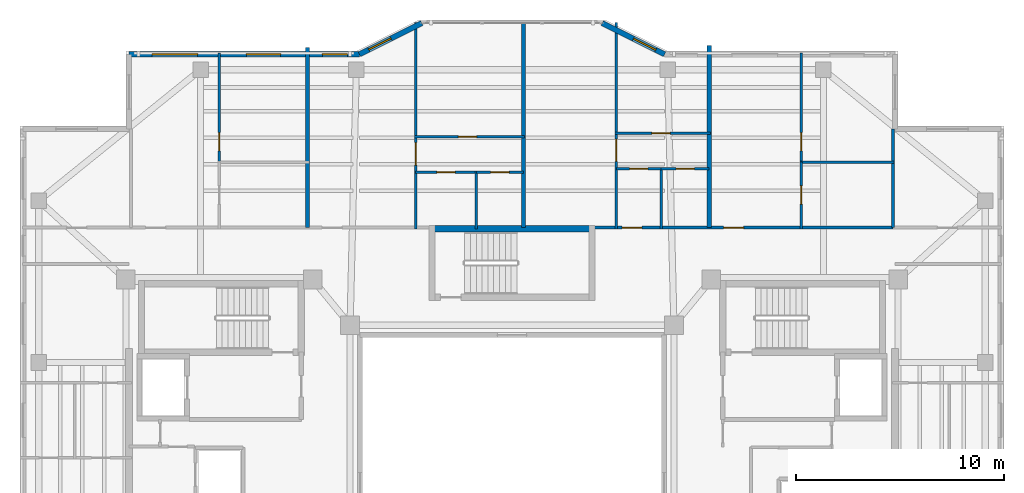
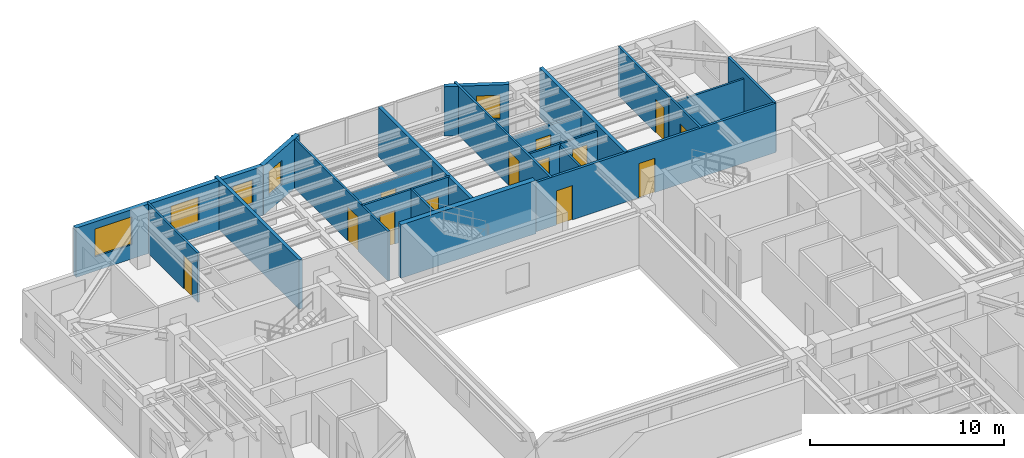
# One storey, part 8 of 12: 23 walls, 13 doors, 5 windows, 18 openings.
"""IFC4 building model written with IfcOpenShell, lengths in metres."""

from ifc_helpers import new_model, si_unit, direction, frame, frame_2d, origin, place, context, subcontext, project, spatial, rectangle, extrude, material, layer, layer_set, type_object, element, fill, save


model = new_model("IFC4")

# Units and contexts
model_context = context("Model", 3, precision=1e-05, world=origin(), true_north=direction((0.0, 1.0)))
body_context = subcontext(model_context, "Body", "Model", "MODEL_VIEW")
ifc_project = project(units=[si_unit("LENGTHUNIT", "METRE"), si_unit("AREAUNIT", "SQUARE_METRE"), si_unit("VOLUMEUNIT", "CUBIC_METRE"), si_unit("PLANEANGLEUNIT", "RADIAN"), si_unit("MASSUNIT", "GRAM", prefix="KILO")], contexts=[model_context])

# Site, building, storey
site_placement = place(None, origin())
site = spatial("IfcSite", under=ifc_project, at=site_placement, CompositionType="ELEMENT")
building_placement = place(site_placement, origin())
building = spatial("IfcBuilding", under=site, at=building_placement, Name="Tarnavaz Court Tower", CompositionType="ELEMENT")
storey_placement = place(building_placement, frame((0.0, 0.0, 210.35009765625)))
storey = spatial("IfcBuildingStorey", under=building, at=storey_placement, Name="L57", CompositionType="ELEMENT", Elevation=210.35009765625)

# Wall
ifc_material_1 = material(Name="Concrete C50/60", Category="concrete")
ifc_layer_1 = layer(ifc_material_1, 0.300048828125)
ifc_layer_set_1 = layer_set([ifc_layer_1], Name="Concrete C50/60")
wall_type_1 = type_object("IfcWallType", Name="WL-CORE-300-C50", PredefinedType="SHEAR", material=ifc_layer_set_1)
wall_1_placement = place(storey_placement, frame((-4.0, 12.43994140625, 0.0), z_axis=(0.0, 0.0, 1.0), x_axis=(1.0, 0.0, 0.0)))
element("IfcWall", 1, at=wall_1_placement, inside=storey, type_object=wall_type_1, Name="L57 North Stair Core Wall 009", PredefinedType="SHEAR", context=body_context, shape_type="SweptSolid", body=[
    extrude(rectangle(XDim=8.0, YDim=0.300048828125, at=frame_2d((4.0, 0.0))), origin(), (0.0, 0.0, 1.0), 3.349853515625),
])

# Wall, openings, windows
ifc_material_2 = material(Name="Precast Concrete C40/50", Category="concrete")
ifc_layer_2 = layer(ifc_material_2, 0.260009765625)
ifc_layer_set_2 = layer_set([ifc_layer_2], Name="Precast Concrete C40/50")
wall_type_2 = type_object("IfcWallType", Name="WL-EXT-260", PredefinedType="SOLIDWALL", material=ifc_layer_set_2)
wall_2_placement = place(storey_placement, frame((-18.449951171875, 20.85009765625, 0.0), z_axis=(0.0, 0.0, 1.0), x_axis=(1.0, 0.0, 0.0)))
wall_2 = element("IfcWall", 2, at=wall_2_placement, inside=storey, type_object=wall_type_2, Name="L57 Exterior Terracotta Facade Wall 05", PredefinedType="SOLIDWALL", context=body_context, shape_type="SweptSolid", body=[
    extrude(rectangle(XDim=11.099853515625, YDim=0.260009765625, at=frame_2d((5.5498046875, 0.0))), origin(), (0.0, 0.0, 1.0), 3.099853515625),
])
opening_1_placement = place(wall_2_placement, frame((1.110107421875, 0.0, 0.89990234375)))
opening_1 = element("IfcOpeningElement", 3, at=opening_1_placement, cuts=wall_2, Name="Opening W07", PredefinedType="OPENING", context=body_context, shape_type="SweptSolid", body=[
    extrude(rectangle(XDim=2.199951171875, YDim=1.75, at=frame_2d((1.10009765625, 0.875))), frame((0.0, 0.139892578125, 0.0), z_axis=(0.0, -1.0, 0.0), x_axis=(1.0, 0.0, 0.0)), (0.0, 0.0, 1.0), 0.280029296875),
])
opening_2_placement = place(wall_2_placement, frame((5.654296875, 0.0, 0.89990234375)))
opening_2 = element("IfcOpeningElement", 4, at=opening_2_placement, cuts=wall_2, Name="Opening W02", PredefinedType="OPENING", context=body_context, shape_type="SweptSolid", body=[
    extrude(rectangle(XDim=1.64990234375, YDim=1.60009765625, at=frame_2d((0.824951171875, 0.800048828125))), frame((0.0, 0.139892578125, 0.0), z_axis=(0.0, -1.0, 0.0), x_axis=(1.0, 0.0, 0.0)), (0.0, 0.0, 1.0), 0.280029296875),
])
opening_3_placement = place(wall_2_placement, frame((9.319580078125, 0.0, 0.949951171875)))
opening_3 = element("IfcOpeningElement", 5, at=opening_3_placement, cuts=wall_2, Name="Opening W05", PredefinedType="OPENING", context=body_context, shape_type="SweptSolid", body=[
    extrude(rectangle(XDim=1.199951171875, YDim=1.5, at=frame_2d((0.60009765625, 0.75))), frame((0.0, 0.139892578125, 0.0), z_axis=(0.0, -1.0, 0.0), x_axis=(1.0, 0.0, 0.0)), (0.0, 0.0, 1.0), 0.280029296875),
])
ifc_material_3 = material(Name="Double-Glazed Solar Low-E Glass", Category="glass")
window_type_1 = type_object("IfcWindowType", Name="WN-APT-1200", PartitioningType="SINGLE_PANEL", PredefinedType="WINDOW", material=ifc_material_3)
window_1_placement = place(opening_3_placement, origin())
window_1 = element("IfcWindow", 6, at=window_1_placement, inside=storey, type_object=window_type_1, Name="L57 Flat 02 Living and Dining Room Window", OverallHeight=1.5, OverallWidth=1.199951171875, PartitioningType="SINGLE_PANEL", PredefinedType="WINDOW", context=body_context, shape_type="SweptSolid", body=[
    extrude(rectangle(XDim=1.199951171875, YDim=1.5, at=frame_2d((0.60009765625, 0.75))), frame((0.0, 0.030029296875, 0.0), z_axis=(0.0, -1.0, 0.0), x_axis=(1.0, 0.0, 0.0)), (0.0, 0.0, 1.0), 0.06005859375),
])
fill(opening_3, window_1)
window_type_2 = type_object("IfcWindowType", Name="WN-APT-1650", PartitioningType="DOUBLE_PANEL_VERTICAL", PredefinedType="WINDOW", material=ifc_material_3)
window_2_placement = place(opening_2_placement, origin())
window_2 = element("IfcWindow", 7, at=window_2_placement, inside=storey, type_object=window_type_2, Name="L57 Flat 01 Kitchen Window", OverallHeight=1.60009765625, OverallWidth=1.64990234375, PartitioningType="SINGLE_PANEL", PredefinedType="WINDOW", context=body_context, shape_type="SweptSolid", body=[
    extrude(rectangle(XDim=1.64990234375, YDim=1.60009765625, at=frame_2d((0.824951171875, 0.800048828125))), frame((0.0, 0.030029296875, 0.0), z_axis=(0.0, -1.0, 0.0), x_axis=(1.0, 0.0, 0.0)), (0.0, 0.0, 1.0), 0.06005859375),
])
fill(opening_2, window_2)
window_type_3 = type_object("IfcWindowType", Name="WN-APT-2200", PartitioningType="TRIPLE_PANEL_VERTICAL", PredefinedType="WINDOW", material=ifc_material_3)
window_3_placement = place(opening_1_placement, origin())
window_3 = element("IfcWindow", 8, at=window_3_placement, inside=storey, type_object=window_type_3, Name="L57 Flat 01 Studio Living and Sleeping Room Window", OverallHeight=1.75, OverallWidth=2.199951171875, PartitioningType="SINGLE_PANEL", PredefinedType="WINDOW", context=body_context, shape_type="SweptSolid", body=[
    extrude(rectangle(XDim=2.199951171875, YDim=1.75, at=frame_2d((1.10009765625, 0.875))), frame((0.0, 0.030029296875, 0.0), z_axis=(0.0, -1.0, 0.0), x_axis=(1.0, 0.0, 0.0)), (0.0, 0.0, 1.0), 0.06005859375),
])
fill(opening_1, window_3)

# Wall, opening, window
wall_3_placement = place(storey_placement, frame((-7.35009765625, 20.85009765625, 0.0), z_axis=(0.0, 0.0, 1.0), x_axis=(0.894427191, 0.4472135955, 0.0)))
wall_3 = element("IfcWall", 9, at=wall_3_placement, inside=storey, type_object=wall_type_2, Name="L57 Exterior Terracotta Facade Wall 06", PredefinedType="SOLIDWALL", context=body_context, shape_type="SweptSolid", body=[
    extrude(rectangle(XDim=3.35400390625, YDim=0.260009765625, at=frame_2d((1.677001953125, 0.0))), origin(), (0.0, 0.0, 1.0), 3.099853515625),
])
opening_4_placement = place(wall_3_placement, frame((0.501220703125, 0.0, 0.949951171875)))
opening_4 = element("IfcOpeningElement", 10, at=opening_4_placement, cuts=wall_3, Name="Opening W05", PredefinedType="OPENING", context=body_context, shape_type="SweptSolid", body=[
    extrude(rectangle(XDim=1.199951171875, YDim=1.5, at=frame_2d((0.60009765625, 0.75))), frame((0.0, 0.139892578125, 0.0), z_axis=(0.0, -1.0, 0.0), x_axis=(1.0, 0.0, 0.0)), (0.0, 0.0, 1.0), 0.280029296875),
])
window_4_placement = place(opening_4_placement, origin())
window_4 = element("IfcWindow", 11, at=window_4_placement, inside=storey, type_object=window_type_1, Name="L57 Flat 02 Living and Dining Room Window", OverallHeight=1.5, OverallWidth=1.199951171875, PartitioningType="SINGLE_PANEL", PredefinedType="WINDOW", context=body_context, shape_type="SweptSolid", body=[
    extrude(rectangle(XDim=1.199951171875, YDim=1.5, at=frame_2d((0.60009765625, 0.75))), frame((0.0, 0.030029296875, 0.0), z_axis=(0.0, -1.0, 0.0), x_axis=(1.0, 0.0, 0.0)), (0.0, 0.0, 1.0), 0.06005859375),
])
fill(opening_4, window_4)

wall_4_placement = place(storey_placement, frame((4.35009765625, 22.35009765625, 0.0), z_axis=(0.0, 0.0, 1.0), x_axis=(0.894427191, -0.4472135955, 0.0)))
wall_4 = element("IfcWall", 12, at=wall_4_placement, inside=storey, type_object=wall_type_2, Name="L57 Exterior Terracotta Facade Wall 08", PredefinedType="SOLIDWALL", context=body_context, shape_type="SweptSolid", body=[
    extrude(rectangle(XDim=3.35400390625, YDim=0.260009765625, at=frame_2d((1.677001953125, 0.0))), origin(), (0.0, 0.0, 1.0), 3.099853515625),
])
opening_5_placement = place(wall_4_placement, frame((1.677978515625, 0.0, 0.949951171875)))
opening_5 = element("IfcOpeningElement", 13, at=opening_5_placement, cuts=wall_4, Name="Opening W05", PredefinedType="OPENING", context=body_context, shape_type="SweptSolid", body=[
    extrude(rectangle(XDim=1.199951171875, YDim=1.5, at=frame_2d((0.60009765625, 0.75))), frame((0.0, 0.139892578125, 0.0), z_axis=(0.0, -1.0, 0.0), x_axis=(1.0, 0.0, 0.0)), (0.0, 0.0, 1.0), 0.280029296875),
])
window_5_placement = place(opening_5_placement, origin())
window_5 = element("IfcWindow", 14, at=window_5_placement, inside=storey, type_object=window_type_1, Name="L57 Flat 03 Bedroom 1 Window", OverallHeight=1.5, OverallWidth=1.199951171875, PartitioningType="SINGLE_PANEL", PredefinedType="WINDOW", context=body_context, shape_type="SweptSolid", body=[
    extrude(rectangle(XDim=1.199951171875, YDim=1.5, at=frame_2d((0.60009765625, 0.75))), frame((0.0, 0.030029296875, 0.0), z_axis=(0.0, -1.0, 0.0), x_axis=(1.0, 0.0, 0.0)), (0.0, 0.0, 1.0), 0.06005859375),
])
fill(opening_5, window_5)

# Wall, openings, doors
ifc_material_4 = material(Name="Gypsum Fire-Board on Acoustic Metal Stud", Category="masonry")
ifc_layer_3 = layer(ifc_material_4, 0.14990234375)
ifc_layer_set_3 = layer_set([ifc_layer_3], Name="Gypsum Fire-Board on Acoustic Metal Stud")
wall_type_3 = type_object("IfcWallType", Name="WL-FIRE-150", PredefinedType="PARTITIONING", material=ifc_layer_set_3)
wall_5_placement = place(storey_placement, frame((3.85009765625, 12.5, 0.0), z_axis=(0.0, 0.0, 1.0), x_axis=(1.0, 0.0, 0.0)))
wall_5 = element("IfcWall", 15, at=wall_5_placement, inside=storey, type_object=wall_type_3, Name="L57 NE Wing Corridor Wall 059", PredefinedType="PARTITIONING", context=body_context, shape_type="SweptSolid", body=[
    extrude(rectangle(XDim=14.5, YDim=0.14990234375, at=frame_2d((7.25, 0.0))), origin(), (0.0, 0.0, 1.0), 3.099853515625),
])
opening_6_placement = place(wall_5_placement, frame((1.449951171875, 0.0, 0.0)))
opening_6 = element("IfcOpeningElement", 16, at=opening_6_placement, cuts=wall_5, Name="Opening D06", PredefinedType="OPENING", context=body_context, shape_type="SweptSolid", body=[
    extrude(rectangle(XDim=0.9599609375, YDim=2.14990234375, at=frame_2d((0.47998046875, 1.074951171875))), frame((0.0, 0.0849609375, 0.0), z_axis=(0.0, -1.0, 0.0), x_axis=(1.0, 0.0, 0.0)), (0.0, 0.0, 1.0), 0.169921875),
])
opening_7_placement = place(wall_5_placement, frame((6.35009765625, 0.0, 0.0)))
opening_7 = element("IfcOpeningElement", 17, at=opening_7_placement, cuts=wall_5, Name="Opening D06", PredefinedType="OPENING", context=body_context, shape_type="SweptSolid", body=[
    extrude(rectangle(XDim=0.9599609375, YDim=2.14990234375, at=frame_2d((0.47998046875, 1.074951171875))), frame((0.0, 0.0849609375, 0.0), z_axis=(0.0, -1.0, 0.0), x_axis=(1.0, 0.0, 0.0)), (0.0, 0.0, 1.0), 0.169921875),
])
ifc_material_5 = material(Name="Fire-Rated Hardwood Timber Core", Category="wood")
door_type_1 = type_object("IfcDoorType", Name="DR-FD60-950", OperationType="NOTDEFINED", PredefinedType="DOOR", material=ifc_material_5)
door_1_placement = place(opening_6_placement, origin())
door_1 = element("IfcDoor", 18, at=door_1_placement, inside=storey, type_object=door_type_1, Name="L57 Flat 03 Entrance Door", OperationType="SINGLE_SWING_RIGHT", OverallHeight=2.14990234375, OverallWidth=0.9599609375, PredefinedType="DOOR", context=body_context, shape_type="SweptSolid", body=[
    extrude(rectangle(XDim=0.9599609375, YDim=2.14990234375, at=frame_2d((0.47998046875, 1.074951171875))), frame((0.0, 0.02490234375, 0.0), z_axis=(0.0, -1.0, 0.0), x_axis=(1.0, 0.0, 0.0)), (0.0, 0.0, 1.0), 0.050048828125),
])
fill(opening_6, door_1)
door_2_placement = place(opening_7_placement, origin())
door_2 = element("IfcDoor", 19, at=door_2_placement, inside=storey, type_object=door_type_1, Name="L57 Flat 04 Entrance Door", OperationType="SINGLE_SWING_LEFT", OverallHeight=2.14990234375, OverallWidth=0.9599609375, PredefinedType="DOOR", context=body_context, shape_type="SweptSolid", body=[
    extrude(rectangle(XDim=0.9599609375, YDim=2.14990234375, at=frame_2d((0.47998046875, 1.074951171875))), frame((0.0, 0.02490234375, 0.0), z_axis=(0.0, -1.0, 0.0), x_axis=(1.0, 0.0, 0.0)), (0.0, 0.0, 1.0), 0.050048828125),
])
fill(opening_7, door_2)

# Walls
ifc_material_6 = material(Name="Autoclaved Aerated Concrete Blockwork", Category="masonry")
ifc_layer_4 = layer(ifc_material_6, 0.199951171875)
ifc_layer_set_4 = layer_set([ifc_layer_4], Name="Autoclaved Aerated Concrete Blockwork")
wall_type_4 = type_object("IfcWallType", Name="WL-FIRE-200", PredefinedType="SOLIDWALL", material=ifc_layer_set_4)
wall_6_placement = place(storey_placement, frame((0.550048828125, 12.5, 0.0), z_axis=(0.0, 0.0, 1.0), x_axis=(0.0, 1.0, 0.0)))
element("IfcWall", 20, at=wall_6_placement, inside=storey, type_object=wall_type_4, Name="L57 North Center Party Wall 064", PredefinedType="SOLIDWALL", context=body_context, shape_type="SweptSolid", body=[
    extrude(rectangle(XDim=9.8798828125, YDim=0.199951171875, at=frame_2d((4.93994140625, 0.0))), origin(), (0.0, 0.0, 1.0), 3.099853515625),
])
wall_7_placement = place(storey_placement, frame((-9.844970703125, 12.5, 0.0), z_axis=(0.0, 0.0, 1.0), x_axis=(0.0, 1.0, 0.0)))
element("IfcWall", 21, at=wall_7_placement, inside=storey, type_object=wall_type_4, Name="L57 Party Wall 065", PredefinedType="SOLIDWALL", context=body_context, shape_type="SweptSolid", body=[
    extrude(rectangle(XDim=8.68505859375, YDim=0.199951171875, at=frame_2d((4.342529296875, 0.0))), origin(), (0.0, 0.0, 1.0), 3.099853515625),
])
wall_8_placement = place(storey_placement, frame((9.5, 12.5, 0.0), z_axis=(0.0, 0.0, 1.0), x_axis=(0.0, 1.0, 0.0)))
element("IfcWall", 22, at=wall_8_placement, inside=storey, type_object=wall_type_4, Name="L57 Party Wall 074", PredefinedType="SOLIDWALL", context=body_context, shape_type="SweptSolid", body=[
    extrude(rectangle(XDim=8.77001953125, YDim=0.199951171875, at=frame_2d((4.385009765625, 0.0))), origin(), (0.0, 0.0, 1.0), 3.099853515625),
])

# Wall, opening, door
ifc_material_7 = material(Name="Moisture-Resistant Gypsum Board Partition", Category="masonry")
ifc_layer_5 = layer(ifc_material_7, 0.1201171875)
ifc_layer_set_5 = layer_set([ifc_layer_5], Name="Moisture-Resistant Gypsum Board Partition")
wall_type_5 = type_object("IfcWallType", Name="WL-PART-120", PredefinedType="PARTITIONING", material=ifc_layer_set_5)
wall_9_placement = place(storey_placement, frame((-14.097900390625, 15.64990234375, 0.0), z_axis=(0.0, 0.0, 1.0), x_axis=(0.0, 1.0, 0.0)))
wall_9 = element("IfcWall", 23, at=wall_9_placement, inside=storey, type_object=wall_type_5, Name="L57 Interior Partition 067", PredefinedType="PARTITIONING", context=body_context, shape_type="SweptSolid", body=[
    extrude(rectangle(XDim=5.25, YDim=0.1201171875, at=frame_2d((2.625, 0.0))), origin(), (0.0, 0.0, 1.0), 3.099853515625),
])
opening_8_placement = place(wall_9_placement, frame((0.550048828125, 0.0, 0.0)))
opening_8 = element("IfcOpeningElement", 24, at=opening_8_placement, cuts=wall_9, Name="Opening D14", PredefinedType="OPENING", context=body_context, shape_type="SweptSolid", body=[
    extrude(rectangle(XDim=0.8798828125, YDim=2.10009765625, at=frame_2d((0.43994140625, 1.050048828125))), frame((0.0, 0.070068359375, 0.0), z_axis=(0.0, -1.0, 0.0), x_axis=(1.0, 0.0, 0.0)), (0.0, 0.0, 1.0), 0.14013671875),
])
ifc_material_8 = material(Name="Engineered Oak Timber", Category="wood")
door_type_2 = type_object("IfcDoorType", Name="DR-INT-900", OperationType="NOTDEFINED", PredefinedType="DOOR", material=ifc_material_8)
door_3_placement = place(opening_8_placement, origin())
door_3 = element("IfcDoor", 25, at=door_3_placement, inside=storey, type_object=door_type_2, Name="L57 Flat 01 Kitchen Door", OperationType="SINGLE_SWING_RIGHT", OverallHeight=2.10009765625, OverallWidth=0.8798828125, PredefinedType="DOOR", context=body_context, shape_type="SweptSolid", body=[
    extrude(rectangle(XDim=0.8798828125, YDim=2.10009765625, at=frame_2d((0.43994140625, 1.050048828125))), frame((0.0, 0.02490234375, 0.0), z_axis=(0.0, -1.0, 0.0), x_axis=(1.0, 0.0, 0.0)), (0.0, 0.0, 1.0), 0.050048828125),
])
fill(opening_8, door_3)

wall_10_placement = place(storey_placement, frame((-4.64697265625, 12.43994140625, 0.0), z_axis=(0.0, 0.0, 1.0), x_axis=(0.0, 1.0, 0.0)))
wall_10 = element("IfcWall", 26, at=wall_10_placement, inside=storey, type_object=wall_type_5, Name="L57 Interior Partition 069", PredefinedType="PARTITIONING", context=body_context, shape_type="SweptSolid", body=[
    extrude(rectangle(XDim=9.93994140625, YDim=0.1201171875, at=frame_2d((4.969970703125, 0.0))), origin(), (0.0, 0.0, 1.0), 3.099853515625),
])
opening_9_placement = place(wall_10_placement, frame((3.074951171875, 0.0, 0.0)))
opening_9 = element("IfcOpeningElement", 27, at=opening_9_placement, cuts=wall_10, Name="Opening D12", PredefinedType="OPENING", context=body_context, shape_type="SweptSolid", body=[
    extrude(rectangle(XDim=1.080078125, YDim=2.14990234375, at=frame_2d((0.5400390625, 1.074951171875))), frame((0.0, 0.070068359375, 0.0), z_axis=(0.0, -1.0, 0.0), x_axis=(1.0, 0.0, 0.0)), (0.0, 0.0, 1.0), 0.14013671875),
])
door_type_3 = type_object("IfcDoorType", Name="DR-INT-1100", OperationType="NOTDEFINED", PredefinedType="DOOR", material=ifc_material_8)
door_4_placement = place(opening_9_placement, origin())
door_4 = element("IfcDoor", 28, at=door_4_placement, inside=storey, type_object=door_type_3, Name="L57 Flat 02 Foyer Door", OperationType="SINGLE_SWING_RIGHT", OverallHeight=2.14990234375, OverallWidth=1.080078125, PredefinedType="DOOR", context=body_context, shape_type="SweptSolid", body=[
    extrude(rectangle(XDim=1.080078125, YDim=2.14990234375, at=frame_2d((0.5400390625, 1.074951171875))), frame((0.0, 0.02490234375, 0.0), z_axis=(0.0, -1.0, 0.0), x_axis=(1.0, 0.0, 0.0)), (0.0, 0.0, 1.0), 0.050048828125),
])
fill(opening_9, door_4)

wall_11_placement = place(storey_placement, frame((-4.64697265625, 15.169921875, 0.0), z_axis=(0.0, 0.0, 1.0), x_axis=(1.0, 0.0, 0.0)))
wall_11 = element("IfcWall", 29, at=wall_11_placement, inside=storey, type_object=wall_type_5, Name="L57 Interior Partition 070", PredefinedType="PARTITIONING", context=body_context, shape_type="SweptSolid", body=[
    extrude(rectangle(XDim=2.927978515625, YDim=0.1201171875, at=frame_2d((1.4638671875, 0.0))), origin(), (0.0, 0.0, 1.0), 3.099853515625),
])
opening_10_placement = place(wall_11_placement, frame((1.02392578125, 0.0, 0.0)))
opening_10 = element("IfcOpeningElement", 30, at=opening_10_placement, cuts=wall_11, Name="Opening D14", PredefinedType="OPENING", context=body_context, shape_type="SweptSolid", body=[
    extrude(rectangle(XDim=0.8798828125, YDim=2.10009765625, at=frame_2d((0.43994140625, 1.050048828125))), frame((0.0, 0.070068359375, 0.0), z_axis=(0.0, -1.0, 0.0), x_axis=(1.0, 0.0, 0.0)), (0.0, 0.0, 1.0), 0.14013671875),
])
door_5_placement = place(opening_10_placement, origin())
door_5 = element("IfcDoor", 31, at=door_5_placement, inside=storey, type_object=door_type_2, Name="L57 Flat 02 Kitchen Door", OperationType="SINGLE_SWING_LEFT", OverallHeight=2.10009765625, OverallWidth=0.8798828125, PredefinedType="DOOR", context=body_context, shape_type="SweptSolid", body=[
    extrude(rectangle(XDim=0.8798828125, YDim=2.10009765625, at=frame_2d((0.43994140625, 1.050048828125))), frame((0.0, 0.02490234375, 0.0), z_axis=(0.0, -1.0, 0.0), x_axis=(1.0, 0.0, 0.0)), (0.0, 0.0, 1.0), 0.050048828125),
])
fill(opening_10, door_5)

wall_12_placement = place(storey_placement, frame((-1.718994140625, 15.169921875, 0.0), z_axis=(0.0, 0.0, 1.0), x_axis=(1.0, 0.0, 0.0)))
wall_12 = element("IfcWall", 32, at=wall_12_placement, inside=storey, type_object=wall_type_5, Name="L57 Interior Partition 071", PredefinedType="PARTITIONING", context=body_context, shape_type="SweptSolid", body=[
    extrude(rectangle(XDim=2.26904296875, YDim=0.1201171875, at=frame_2d((1.134521484375, 0.0))), origin(), (0.0, 0.0, 1.0), 3.099853515625),
])
opening_11_placement = place(wall_12_placement, frame((0.695068359375, 0.0, 0.0)))
opening_11 = element("IfcOpeningElement", 33, at=opening_11_placement, cuts=wall_12, Name="Opening D14", PredefinedType="OPENING", context=body_context, shape_type="SweptSolid", body=[
    extrude(rectangle(XDim=0.8798828125, YDim=2.10009765625, at=frame_2d((0.43994140625, 1.050048828125))), frame((0.0, 0.070068359375, 0.0), z_axis=(0.0, -1.0, 0.0), x_axis=(1.0, 0.0, 0.0)), (0.0, 0.0, 1.0), 0.14013671875),
])
door_6_placement = place(opening_11_placement, origin())
door_6 = element("IfcDoor", 34, at=door_6_placement, inside=storey, type_object=door_type_2, Name="L57 Flat 02 Bathroom Door", OperationType="SINGLE_SWING_RIGHT", OverallHeight=2.10009765625, OverallWidth=0.8798828125, PredefinedType="DOOR", context=body_context, shape_type="SweptSolid", body=[
    extrude(rectangle(XDim=0.8798828125, YDim=2.10009765625, at=frame_2d((0.43994140625, 1.050048828125))), frame((0.0, 0.02490234375, 0.0), z_axis=(0.0, -1.0, 0.0), x_axis=(1.0, 0.0, 0.0)), (0.0, 0.0, 1.0), 0.050048828125),
])
fill(opening_11, door_6)

wall_13_placement = place(storey_placement, frame((-4.70703125, 16.8798828125, 0.0), z_axis=(0.0, 0.0, 1.0), x_axis=(1.0, 0.0, 0.0)))
wall_13 = element("IfcWall", 35, at=wall_13_placement, inside=storey, type_object=wall_type_5, Name="L57 Interior Partition 072", PredefinedType="PARTITIONING", context=body_context, shape_type="SweptSolid", body=[
    extrude(rectangle(XDim=5.317138671875, YDim=0.1201171875, at=frame_2d((2.65869140625, 0.0))), origin(), (0.0, 0.0, 1.0), 2.724853515625),
])
opening_12_placement = place(wall_13_placement, frame((2.12890625, 0.0, 0.0)))
opening_12 = element("IfcOpeningElement", 36, at=opening_12_placement, cuts=wall_13, Name="Opening D14", PredefinedType="OPENING", context=body_context, shape_type="SweptSolid", body=[
    extrude(rectangle(XDim=0.8798828125, YDim=2.10009765625, at=frame_2d((0.43994140625, 1.050048828125))), frame((0.0, 0.070068359375, 0.0), z_axis=(0.0, -1.0, 0.0), x_axis=(1.0, 0.0, 0.0)), (0.0, 0.0, 1.0), 0.14013671875),
])
door_7_placement = place(opening_12_placement, origin())
door_7 = element("IfcDoor", 37, at=door_7_placement, inside=storey, type_object=door_type_2, Name="L57 Flat 02 Bedroom 1 Door", OperationType="SINGLE_SWING_LEFT", OverallHeight=2.10009765625, OverallWidth=0.8798828125, PredefinedType="DOOR", context=body_context, shape_type="SweptSolid", body=[
    extrude(rectangle(XDim=0.8798828125, YDim=2.10009765625, at=frame_2d((0.43994140625, 1.050048828125))), frame((0.0, 0.02490234375, 0.0), z_axis=(0.0, -1.0, 0.0), x_axis=(1.0, 0.0, 0.0)), (0.0, 0.0, 1.0), 0.050048828125),
])
fill(opening_12, door_7)

# Wall
wall_14_placement = place(storey_placement, frame((-1.718994140625, 12.43994140625, 0.0), z_axis=(0.0, 0.0, 1.0), x_axis=(0.0, 1.0, 0.0)))
element("IfcWall", 38, at=wall_14_placement, inside=storey, type_object=wall_type_5, Name="L57 Interior Partition 073", PredefinedType="PARTITIONING", context=body_context, shape_type="SweptSolid", body=[
    extrude(rectangle(XDim=2.7900390625, YDim=0.1201171875, at=frame_2d((1.39501953125, 0.0))), origin(), (0.0, 0.0, 1.0), 3.099853515625),
])

# Wall, opening, door
wall_15_placement = place(storey_placement, frame((5.02490234375, 12.43994140625, 0.0), z_axis=(0.0, 0.0, 1.0), x_axis=(0.0, 1.0, 0.0)))
wall_15 = element("IfcWall", 39, at=wall_15_placement, inside=storey, type_object=wall_type_5, Name="L57 Interior Partition 075", PredefinedType="PARTITIONING", context=body_context, shape_type="SweptSolid", body=[
    extrude(rectangle(XDim=9.93408203125, YDim=0.1201171875, at=frame_2d((4.967041015625, 0.0))), origin(), (0.0, 0.0, 1.0), 3.099853515625),
])
opening_13_placement = place(wall_15_placement, frame((3.2451171875, 0.0, 0.0)))
opening_13 = element("IfcOpeningElement", 40, at=opening_13_placement, cuts=wall_15, Name="Opening D12", PredefinedType="OPENING", context=body_context, shape_type="SweptSolid", body=[
    extrude(rectangle(XDim=1.080078125, YDim=2.14990234375, at=frame_2d((0.5400390625, 1.074951171875))), frame((0.0, 0.070068359375, 0.0), z_axis=(0.0, -1.0, 0.0), x_axis=(1.0, 0.0, 0.0)), (0.0, 0.0, 1.0), 0.14013671875),
])
door_8_placement = place(opening_13_placement, origin())
door_8 = element("IfcDoor", 41, at=door_8_placement, inside=storey, type_object=door_type_3, Name="L57 Flat 03 Foyer Door", OperationType="SINGLE_SWING_LEFT", OverallHeight=2.14990234375, OverallWidth=1.080078125, PredefinedType="DOOR", context=body_context, shape_type="SweptSolid", body=[
    extrude(rectangle(XDim=1.080078125, YDim=2.14990234375, at=frame_2d((0.5400390625, 1.074951171875))), frame((0.0, 0.02490234375, 0.0), z_axis=(0.0, -1.0, 0.0), x_axis=(1.0, 0.0, 0.0)), (0.0, 0.0, 1.0), 0.050048828125),
])
fill(opening_13, door_8)

wall_16_placement = place(storey_placement, frame((5.02490234375, 15.340087890625, 0.0), z_axis=(0.0, 0.0, 1.0), x_axis=(1.0, 0.0, 0.0)))
wall_16 = element("IfcWall", 42, at=wall_16_placement, inside=storey, type_object=wall_type_5, Name="L57 Interior Partition 076", PredefinedType="PARTITIONING", context=body_context, shape_type="SweptSolid", body=[
    extrude(rectangle(XDim=2.1630859375, YDim=0.1201171875, at=frame_2d((1.08154296875, 0.0))), origin(), (0.0, 0.0, 1.0), 2.724853515625),
])
opening_14_placement = place(wall_16_placement, frame((0.64111328125, 0.0, 0.0)))
opening_14 = element("IfcOpeningElement", 43, at=opening_14_placement, cuts=wall_16, Name="Opening D14", PredefinedType="OPENING", context=body_context, shape_type="SweptSolid", body=[
    extrude(rectangle(XDim=0.8798828125, YDim=2.10009765625, at=frame_2d((0.43994140625, 1.050048828125))), frame((0.0, 0.070068359375, 0.0), z_axis=(0.0, -1.0, 0.0), x_axis=(1.0, 0.0, 0.0)), (0.0, 0.0, 1.0), 0.14013671875),
])
door_9_placement = place(opening_14_placement, origin())
door_9 = element("IfcDoor", 44, at=door_9_placement, inside=storey, type_object=door_type_2, Name="L57 Flat 03 Kitchen Door", OperationType="SINGLE_SWING_RIGHT", OverallHeight=2.10009765625, OverallWidth=0.8798828125, PredefinedType="DOOR", context=body_context, shape_type="SweptSolid", body=[
    extrude(rectangle(XDim=0.8798828125, YDim=2.10009765625, at=frame_2d((0.43994140625, 1.050048828125))), frame((0.0, 0.02490234375, 0.0), z_axis=(0.0, -1.0, 0.0), x_axis=(1.0, 0.0, 0.0)), (0.0, 0.0, 1.0), 0.050048828125),
])
fill(opening_14, door_9)

wall_17_placement = place(storey_placement, frame((7.18798828125, 15.340087890625, 0.0), z_axis=(0.0, 0.0, 1.0), x_axis=(1.0, 0.0, 0.0)))
wall_17 = element("IfcWall", 45, at=wall_17_placement, inside=storey, type_object=wall_type_5, Name="L57 Interior Partition 077", PredefinedType="PARTITIONING", context=body_context, shape_type="SweptSolid", body=[
    extrude(rectangle(XDim=2.31201171875, YDim=0.1201171875, at=frame_2d((1.156005859375, 0.0))), origin(), (0.0, 0.0, 1.0), 2.724853515625),
])
opening_15_placement = place(wall_17_placement, frame((0.716064453125, 0.0, 0.0)))
opening_15 = element("IfcOpeningElement", 46, at=opening_15_placement, cuts=wall_17, Name="Opening D14", PredefinedType="OPENING", context=body_context, shape_type="SweptSolid", body=[
    extrude(rectangle(XDim=0.8798828125, YDim=2.10009765625, at=frame_2d((0.43994140625, 1.050048828125))), frame((0.0, 0.070068359375, 0.0), z_axis=(0.0, -1.0, 0.0), x_axis=(1.0, 0.0, 0.0)), (0.0, 0.0, 1.0), 0.14013671875),
])
door_10_placement = place(opening_15_placement, origin())
door_10 = element("IfcDoor", 47, at=door_10_placement, inside=storey, type_object=door_type_2, Name="L57 Flat 03 Bathroom Door", OperationType="SINGLE_SWING_LEFT", OverallHeight=2.10009765625, OverallWidth=0.8798828125, PredefinedType="DOOR", context=body_context, shape_type="SweptSolid", body=[
    extrude(rectangle(XDim=0.8798828125, YDim=2.10009765625, at=frame_2d((0.43994140625, 1.050048828125))), frame((0.0, 0.02490234375, 0.0), z_axis=(0.0, -1.0, 0.0), x_axis=(1.0, 0.0, 0.0)), (0.0, 0.0, 1.0), 0.050048828125),
])
fill(opening_15, door_10)

wall_18_placement = place(storey_placement, frame((4.965087890625, 17.050048828125, 0.0), z_axis=(0.0, 0.0, 1.0), x_axis=(1.0, 0.0, 0.0)))
wall_18 = element("IfcWall", 48, at=wall_18_placement, inside=storey, type_object=wall_type_5, Name="L57 Interior Partition 078", PredefinedType="PARTITIONING", context=body_context, shape_type="SweptSolid", body=[
    extrude(rectangle(XDim=4.594970703125, YDim=0.1201171875, at=frame_2d((2.29736328125, 0.0))), origin(), (0.0, 0.0, 1.0), 2.724853515625),
])
opening_16_placement = place(wall_18_placement, frame((1.76708984375, 0.0, 0.0)))
opening_16 = element("IfcOpeningElement", 49, at=opening_16_placement, cuts=wall_18, Name="Opening D14", PredefinedType="OPENING", context=body_context, shape_type="SweptSolid", body=[
    extrude(rectangle(XDim=0.8798828125, YDim=2.10009765625, at=frame_2d((0.43994140625, 1.050048828125))), frame((0.0, 0.070068359375, 0.0), z_axis=(0.0, -1.0, 0.0), x_axis=(1.0, 0.0, 0.0)), (0.0, 0.0, 1.0), 0.14013671875),
])
door_11_placement = place(opening_16_placement, origin())
door_11 = element("IfcDoor", 50, at=door_11_placement, inside=storey, type_object=door_type_2, Name="L57 Flat 03 Bedroom 1 Door", OperationType="SINGLE_SWING_RIGHT", OverallHeight=2.10009765625, OverallWidth=0.8798828125, PredefinedType="DOOR", context=body_context, shape_type="SweptSolid", body=[
    extrude(rectangle(XDim=0.8798828125, YDim=2.10009765625, at=frame_2d((0.43994140625, 1.050048828125))), frame((0.0, 0.02490234375, 0.0), z_axis=(0.0, -1.0, 0.0), x_axis=(1.0, 0.0, 0.0)), (0.0, 0.0, 1.0), 0.050048828125),
])
fill(opening_16, door_11)

# Wall
wall_19_placement = place(storey_placement, frame((7.18798828125, 12.43994140625, 0.0), z_axis=(0.0, 0.0, 1.0), x_axis=(0.0, 1.0, 0.0)))
element("IfcWall", 51, at=wall_19_placement, inside=storey, type_object=wall_type_5, Name="L57 Interior Partition 079", PredefinedType="PARTITIONING", context=body_context, shape_type="SweptSolid", body=[
    extrude(rectangle(XDim=2.9599609375, YDim=0.1201171875, at=frame_2d((1.47998046875, 0.0))), origin(), (0.0, 0.0, 1.0), 2.5849609375),
])

# Wall, opening, door
wall_20_placement = place(storey_placement, frame((13.925048828125, 12.43994140625, 0.0), z_axis=(0.0, 0.0, 1.0), x_axis=(0.0, 1.0, 0.0)))
wall_20 = element("IfcWall", 52, at=wall_20_placement, inside=storey, type_object=wall_type_5, Name="L57 Interior Partition 080", PredefinedType="PARTITIONING", context=body_context, shape_type="SweptSolid", body=[
    extrude(rectangle(XDim=3.2099609375, YDim=0.1201171875, at=frame_2d((1.60498046875, 0.0))), origin(), (0.0, 0.0, 1.0), 3.099853515625),
])
opening_17_placement = place(wall_20_placement, frame((1.195068359375, 0.0, 0.0)))
opening_17 = element("IfcOpeningElement", 53, at=opening_17_placement, cuts=wall_20, Name="Opening D14", PredefinedType="OPENING", context=body_context, shape_type="SweptSolid", body=[
    extrude(rectangle(XDim=0.8798828125, YDim=2.10009765625, at=frame_2d((0.43994140625, 1.050048828125))), frame((0.0, 0.070068359375, 0.0), z_axis=(0.0, -1.0, 0.0), x_axis=(1.0, 0.0, 0.0)), (0.0, 0.0, 1.0), 0.14013671875),
])
door_12_placement = place(opening_17_placement, origin())
door_12 = element("IfcDoor", 54, at=door_12_placement, inside=storey, type_object=door_type_2, Name="L57 Flat 04 Bathroom Door", OperationType="SINGLE_SWING_RIGHT", OverallHeight=2.10009765625, OverallWidth=0.8798828125, PredefinedType="DOOR", context=body_context, shape_type="SweptSolid", body=[
    extrude(rectangle(XDim=0.8798828125, YDim=2.10009765625, at=frame_2d((0.43994140625, 1.050048828125))), frame((0.0, 0.02490234375, 0.0), z_axis=(0.0, -1.0, 0.0), x_axis=(1.0, 0.0, 0.0)), (0.0, 0.0, 1.0), 0.050048828125),
])
fill(opening_17, door_12)

wall_21_placement = place(storey_placement, frame((13.925048828125, 15.64990234375, 0.0), z_axis=(0.0, 0.0, 1.0), x_axis=(0.0, 1.0, 0.0)))
wall_21 = element("IfcWall", 55, at=wall_21_placement, inside=storey, type_object=wall_type_5, Name="L57 Interior Partition 081", PredefinedType="PARTITIONING", context=body_context, shape_type="SweptSolid", body=[
    extrude(rectangle(XDim=5.25, YDim=0.1201171875, at=frame_2d((2.625, 0.0))), origin(), (0.0, 0.0, 1.0), 3.099853515625),
])
opening_18_placement = place(wall_21_placement, frame((0.550048828125, 0.0, 0.0)))
opening_18 = element("IfcOpeningElement", 56, at=opening_18_placement, cuts=wall_21, Name="Opening D14", PredefinedType="OPENING", context=body_context, shape_type="SweptSolid", body=[
    extrude(rectangle(XDim=0.8798828125, YDim=2.10009765625, at=frame_2d((0.43994140625, 1.050048828125))), frame((0.0, 0.070068359375, 0.0), z_axis=(0.0, -1.0, 0.0), x_axis=(1.0, 0.0, 0.0)), (0.0, 0.0, 1.0), 0.14013671875),
])
door_13_placement = place(opening_18_placement, origin())
door_13 = element("IfcDoor", 57, at=door_13_placement, inside=storey, type_object=door_type_2, Name="L57 Flat 04 Kitchen Door", OperationType="SINGLE_SWING_LEFT", OverallHeight=2.10009765625, OverallWidth=0.8798828125, PredefinedType="DOOR", context=body_context, shape_type="SweptSolid", body=[
    extrude(rectangle(XDim=0.8798828125, YDim=2.10009765625, at=frame_2d((0.43994140625, 1.050048828125))), frame((0.0, 0.02490234375, 0.0), z_axis=(0.0, -1.0, 0.0), x_axis=(1.0, 0.0, 0.0)), (0.0, 0.0, 1.0), 0.050048828125),
])
fill(opening_18, door_13)

# Walls
wall_22_placement = place(storey_placement, frame((13.864990234375, 15.64990234375, 0.0), z_axis=(0.0, 0.0, 1.0), x_axis=(1.0, 0.0, 0.0)))
element("IfcWall", 58, at=wall_22_placement, inside=storey, type_object=wall_type_5, Name="L57 Interior Partition 082", PredefinedType="PARTITIONING", context=body_context, shape_type="SweptSolid", body=[
    extrude(rectangle(XDim=4.544921875, YDim=0.1201171875, at=frame_2d((2.2724609375, 0.0))), origin(), (0.0, 0.0, 1.0), 2.724853515625),
])
ifc_material_9 = material(Name="Gypsum Plasterboard Acoustic Partition", Category="masonry")
ifc_layer_6 = layer(ifc_material_9, 0.139892578125)
ifc_layer_set_6 = layer_set([ifc_layer_6], Name="Gypsum Plasterboard Acoustic Partition")
wall_type_6 = type_object("IfcWallType", Name="WL-PART-150", PredefinedType="PARTITIONING", material=ifc_layer_set_6)
wall_23_placement = place(storey_placement, frame((18.35009765625, 12.5, 0.0), z_axis=(0.0, 0.0, 1.0), x_axis=(0.0, 1.0, 0.0)))
element("IfcWall", 59, at=wall_23_placement, inside=storey, type_object=wall_type_6, Name="L57 Interior Partition 106", PredefinedType="PARTITIONING", context=body_context, shape_type="SweptSolid", body=[
    extrude(rectangle(XDim=4.75, YDim=0.139892578125, at=frame_2d((2.375, 0.0))), origin(), (0.0, 0.0, 1.0), 3.099853515625),
])

save(model, "model.ifc")
